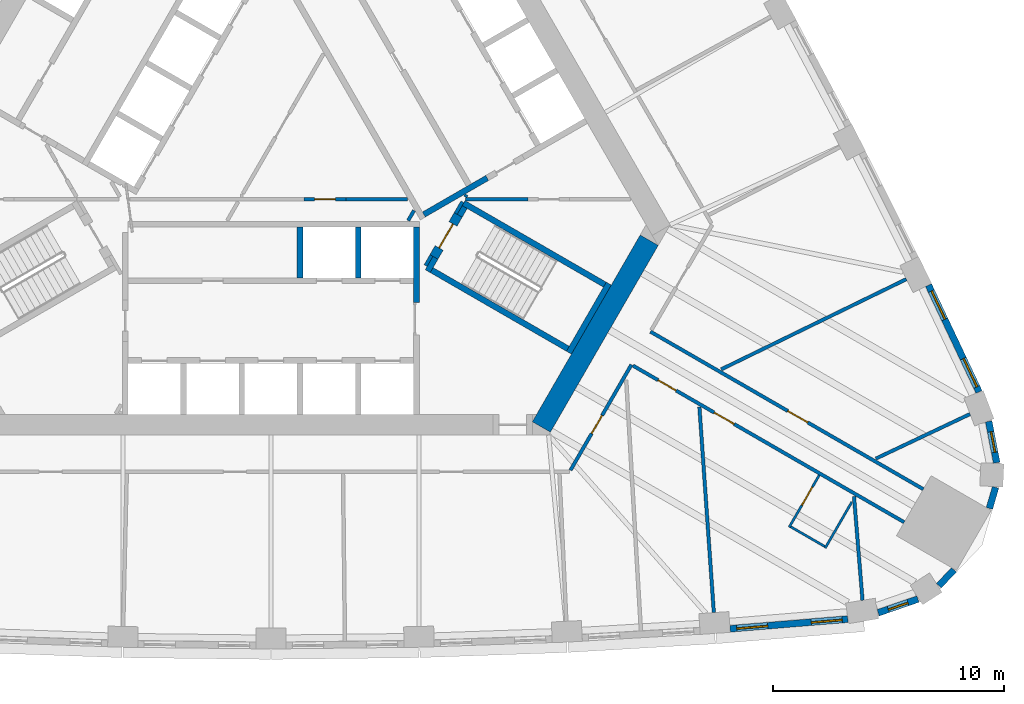
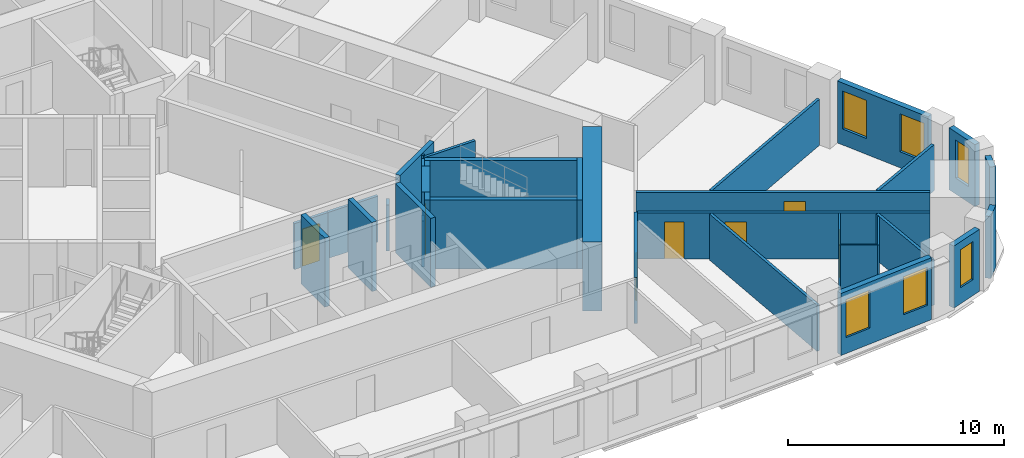
# One storey, part 7 of 12: 34 walls, 7 doors, 6 windows, 13 openings.
"""IFC4 building model written with IfcOpenShell, lengths in metres."""

from ifc_helpers import new_model, si_unit, direction, frame, frame_2d, origin, place, context, subcontext, project, spatial, rectangle, extrude, material, layer, layer_set, type_object, element, fill, save


model = new_model("IFC4")

# Units and contexts
model_context = context("Model", 3, precision=1e-05, world=origin(), true_north=direction((0.0, 1.0)))
body_context = subcontext(model_context, "Body", "Model", "MODEL_VIEW")
ifc_project = project(units=[si_unit("LENGTHUNIT", "METRE"), si_unit("AREAUNIT", "SQUARE_METRE"), si_unit("VOLUMEUNIT", "CUBIC_METRE"), si_unit("PLANEANGLEUNIT", "RADIAN"), si_unit("MASSUNIT", "GRAM", prefix="KILO")], contexts=[model_context])

# Site, building, storey
site_placement = place(None, origin())
site = spatial("IfcSite", under=ifc_project, at=site_placement, CompositionType="ELEMENT")
building_placement = place(site_placement, origin())
building = spatial("IfcBuilding", under=site, at=building_placement, Name="Mestral Congress Tower", CompositionType="ELEMENT")
storey_placement = place(building_placement, frame((0.0, 0.0, 130.5)))
storey = spatial("IfcBuildingStorey", under=building, at=storey_placement, Name="L31", CompositionType="ELEMENT", Elevation=130.5)

# Walls
ifc_material_1 = material(Name="Fire-rated board partition")
ifc_layer_1 = layer(ifc_material_1, 0.14990234375)
ifc_layer_set_1 = layer_set([ifc_layer_1], Name="Fire-rated board partition")
wall_type_1 = type_object("IfcWallType", Name="Core partition 150", PredefinedType="PARTITIONING", material=ifc_layer_set_1)
wall_1_placement = place(storey_placement, frame((6.68798828125, -5.667236328125, 0.0), z_axis=(0.0, 0.0, 1.0), x_axis=(0.499834152157, 0.86612113491, 0.0)))
element("IfcWall", 1, at=wall_1_placement, inside=storey, type_object=wall_type_1, Name="L31 core wall", PredefinedType="PARTITIONING", context=body_context, shape_type="SweptSolid", body=[
    extrude(rectangle(XDim=0.504638671875, YDim=0.14990234375, at=frame_2d((0.25244140625, 0.0))), origin(), (0.0, 0.0, 1.0), 2.60009765625),
])
wall_2_placement = place(storey_placement, frame((5.935791015625, -3.718017578125, 0.0), z_axis=(0.0, 0.0, 1.0), x_axis=(0.499890179513, 0.866088799389, 0.0)))
element("IfcWall", 2, at=wall_2_placement, inside=storey, type_object=wall_type_1, Name="L31 core wall", PredefinedType="PARTITIONING", context=body_context, shape_type="SweptSolid", body=[
    extrude(rectangle(XDim=0.50390625, YDim=0.14990234375, at=frame_2d((0.251953125, 0.0))), origin(), (0.0, 0.0, 1.0), 2.60009765625),
])
wall_3_placement = place(storey_placement, frame((3.23828125, -2.800048828125, 0.0), z_axis=(0.0, 0.0, 1.0), x_axis=(1.0, 0.0, 0.0)))
element("IfcWall", 3, at=wall_3_placement, inside=storey, type_object=wall_type_1, Name="L31 core wall", PredefinedType="PARTITIONING", context=body_context, shape_type="SweptSolid", body=[
    extrude(rectangle(XDim=2.671630859375, YDim=0.14990234375, at=frame_2d((1.3359375, 0.0))), origin(), (0.0, 0.0, 1.0), 2.60009765625),
])

# Wall, opening, door
wall_4_placement = place(storey_placement, frame((1.438232421875, -2.800048828125, 0.0), z_axis=(0.0, 0.0, 1.0), x_axis=(1.0, 0.0, 0.0)))
wall_4 = element("IfcWall", 4, at=wall_4_placement, inside=storey, type_object=wall_type_1, Name="L31 door wall", PredefinedType="PARTITIONING", context=body_context, shape_type="SweptSolid", body=[
    extrude(rectangle(XDim=1.800048828125, YDim=0.14990234375, at=frame_2d((0.89990234375, 0.0))), origin(), (0.0, 0.0, 1.0), 2.60009765625),
])
opening_1_placement = place(wall_4_placement, frame((0.449951171875, 0.0, 0.0)))
opening_1 = element("IfcOpeningElement", 5, at=opening_1_placement, cuts=wall_4, Name="Opening SD-HUB3", PredefinedType="OPENING", context=body_context, shape_type="SweptSolid", body=[
    extrude(rectangle(XDim=0.89990234375, YDim=2.10009765625, at=frame_2d((0.449951171875, 1.050048828125))), frame((0.0, 0.0849609375, 0.0), z_axis=(0.0, -1.0, 0.0), x_axis=(1.0, 0.0, 0.0)), (0.0, 0.0, 1.0), 0.169921875),
])
ifc_material_2 = material(Name="Fire-rated steel door set", Category="steel")
door_type_1 = type_object("IfcDoorType", Name="Core door SR 900x2100", OperationType="SINGLE_SWING_LEFT", PredefinedType="DOOR", material=ifc_material_2)
door_1_placement = place(opening_1_placement, origin())
door_1 = element("IfcDoor", 6, at=door_1_placement, inside=storey, type_object=door_type_1, Name="Door SD-HUB3", OperationType="SINGLE_SWING_LEFT", OverallHeight=2.10009765625, OverallWidth=0.89990234375, PredefinedType="DOOR", context=body_context, shape_type="SweptSolid", body=[
    extrude(rectangle(XDim=0.89990234375, YDim=2.10009765625, at=frame_2d((0.449951171875, 1.050048828125))), frame((0.0, 0.02490234375, 0.0), z_axis=(0.0, -1.0, 0.0), x_axis=(1.0, 0.0, 0.0)), (0.0, 0.0, 1.0), 0.050048828125),
])
fill(opening_1, door_1)

# Wall
ifc_material_3 = material(Name="Concrete C60/75", Category="concrete")
ifc_layer_2 = layer(ifc_material_3, 0.89990234375)
ifc_layer_set_2 = layer_set([ifc_layer_2], Name="Concrete C60/75")
wall_type_2 = type_object("IfcWallType", Name="Core wall RC 900", PredefinedType="SOLIDWALL", material=ifc_layer_set_2)
wall_5_placement = place(storey_placement, frame((11.69482421875, -12.643798828125, 0.0), z_axis=(0.0, 0.0, 1.0), x_axis=(0.500010229568, 0.86601949766, 0.0)))
element("IfcWall", 7, at=wall_5_placement, inside=storey, type_object=wall_type_2, Name="L31 core wall", PredefinedType="SOLIDWALL", context=body_context, shape_type="SweptSolid", body=[
    extrude(rectangle(XDim=9.326416015625, YDim=0.89990234375, at=frame_2d((4.6630859375, 0.0))), origin(), (0.0, 0.0, 1.0), 3.89990234375),
])

# Wall, openings, windows
ifc_material_4 = material(Name="Precast concrete C40/50 with limestone facing", Category="masonry")
ifc_layer_3 = layer(ifc_material_4, 0.2900390625)
ifc_layer_set_3 = layer_set([ifc_layer_3], Name="Precast concrete C40/50 with limestone facing")
wall_type_3 = type_object("IfcWallType", Name="Facade stone wall 290", PredefinedType="SOLIDWALL", material=ifc_layer_set_3)
wall_6_placement = place(storey_placement, frame((19.856689453125, -21.37109375, 0.0), z_axis=(0.0, 0.0, 1.0), x_axis=(0.99665273362, 0.081751627308, 0.0)))
wall_6 = element("IfcWall", 8, at=wall_6_placement, inside=storey, type_object=wall_type_3, Name="Facade wall F0-07", PredefinedType="SOLIDWALL", context=body_context, shape_type="SweptSolid", body=[
    extrude(rectangle(XDim=5.106689453125, YDim=0.2900390625, at=frame_2d((2.55322265625, 0.0))), origin(), (0.0, 0.0, 1.0), 3.5),
])
opening_2_placement = place(wall_6_placement, frame((0.285400390625, 0.0, 0.89990234375)))
opening_2 = element("IfcOpeningElement", 9, at=opening_2_placement, cuts=wall_6, Name="Opening W2", PredefinedType="OPENING", context=body_context, shape_type="SweptSolid", body=[
    extrude(rectangle(XDim=1.35009765625, YDim=2.14990234375, at=frame_2d((0.675048828125, 1.074951171875))), frame((0.0, 0.155029296875, 0.0), z_axis=(0.0, -1.0, 0.0), x_axis=(1.0, 0.0, 0.0)), (0.0, 0.0, 1.0), 0.31005859375),
])
opening_3_placement = place(wall_6_placement, frame((3.51611328125, 0.0, 0.89990234375)))
opening_3 = element("IfcOpeningElement", 10, at=opening_3_placement, cuts=wall_6, Name="Opening W2", PredefinedType="OPENING", context=body_context, shape_type="SweptSolid", body=[
    extrude(rectangle(XDim=1.35009765625, YDim=2.14990234375, at=frame_2d((0.675048828125, 1.074951171875))), frame((0.0, 0.155029296875, 0.0), z_axis=(0.0, -1.0, 0.0), x_axis=(1.0, 0.0, 0.0)), (0.0, 0.0, 1.0), 0.31005859375),
])
ifc_material_5 = material(Name="Clear low-emissivity double glazing", Category="glass")
window_type_1 = type_object("IfcWindowType", Name="Facade punched window 1350 x 2150 sill 900", PartitioningType="DOUBLE_PANEL_VERTICAL", PredefinedType="WINDOW", material=ifc_material_5)
window_1_placement = place(opening_2_placement, origin())
window_1 = element("IfcWindow", 11, at=window_1_placement, inside=storey, type_object=window_type_1, Name="Window F0-07a", OverallHeight=2.14990234375, OverallWidth=1.35009765625, PartitioningType="DOUBLE_PANEL_VERTICAL", PredefinedType="WINDOW", context=body_context, shape_type="SweptSolid", body=[
    extrude(rectangle(XDim=1.35009765625, YDim=2.14990234375, at=frame_2d((0.675048828125, 1.074951171875))), frame((0.0, 0.01513671875, 0.0), z_axis=(0.0, -1.0, 0.0), x_axis=(1.0, 0.0, 0.0)), (0.0, 0.0, 1.0), 0.06005859375),
])
fill(opening_2, window_1)
window_2_placement = place(opening_3_placement, origin())
window_2 = element("IfcWindow", 12, at=window_2_placement, inside=storey, type_object=window_type_1, Name="Window F0-07b", OverallHeight=2.14990234375, OverallWidth=1.35009765625, PartitioningType="DOUBLE_PANEL_VERTICAL", PredefinedType="WINDOW", context=body_context, shape_type="SweptSolid", body=[
    extrude(rectangle(XDim=1.35009765625, YDim=2.14990234375, at=frame_2d((0.675048828125, 1.074951171875))), frame((0.0, 0.01513671875, 0.0), z_axis=(0.0, -1.0, 0.0), x_axis=(1.0, 0.0, 0.0)), (0.0, 0.0, 1.0), 0.06005859375),
])
fill(opening_3, window_2)

# Wall, opening, window
wall_7_placement = place(storey_placement, frame((26.260986328125, -20.67919921875, 0.0), z_axis=(0.0, 0.0, 1.0), x_axis=(0.945385815453, 0.325953462844, 0.0)))
wall_7 = element("IfcWall", 13, at=wall_7_placement, inside=storey, type_object=wall_type_3, Name="Facade wall K0-0", PredefinedType="SOLIDWALL", context=body_context, shape_type="SweptSolid", body=[
    extrude(rectangle(XDim=1.8193359375, YDim=0.2900390625, at=frame_2d((0.90966796875, 0.0))), origin(), (0.0, 0.0, 1.0), 3.5),
])
opening_4_placement = place(wall_7_placement, frame((0.459716796875, 0.0, 0.89990234375)))
opening_4 = element("IfcOpeningElement", 14, at=opening_4_placement, cuts=wall_7, Name="Opening W3", PredefinedType="OPENING", context=body_context, shape_type="SweptSolid", body=[
    extrude(rectangle(XDim=0.89990234375, YDim=2.14990234375, at=frame_2d((0.449951171875, 1.074951171875))), frame((0.0, 0.155029296875, 0.0), z_axis=(0.0, -1.0, 0.0), x_axis=(1.0, 0.0, 0.0)), (0.0, 0.0, 1.0), 0.31005859375),
])
window_type_2 = type_object("IfcWindowType", Name="Facade punched window 900 x 2150 sill 900", PartitioningType="SINGLE_PANEL", PredefinedType="WINDOW", material=ifc_material_5)
window_3_placement = place(opening_4_placement, origin())
window_3 = element("IfcWindow", 15, at=window_3_placement, inside=storey, type_object=window_type_2, Name="Window K0-0", OverallHeight=2.14990234375, OverallWidth=0.89990234375, PartitioningType="SINGLE_PANEL", PredefinedType="WINDOW", context=body_context, shape_type="SweptSolid", body=[
    extrude(rectangle(XDim=0.89990234375, YDim=2.14990234375, at=frame_2d((0.449951171875, 1.074951171875))), frame((0.0, 0.01513671875, 0.0), z_axis=(0.0, -1.0, 0.0), x_axis=(1.0, 0.0, 0.0)), (0.0, 0.0, 1.0), 0.06005859375),
])
fill(opening_4, window_3)

# Walls
wall_8_placement = place(storey_placement, frame((28.88037109375, -19.50927734375, 0.0), z_axis=(0.0, 0.0, 1.0), x_axis=(0.690414427296, 0.723414071319, 0.0)))
element("IfcWall", 16, at=wall_8_placement, inside=storey, type_object=wall_type_3, Name="Facade wall K0-1", PredefinedType="SOLIDWALL", context=body_context, shape_type="SweptSolid", body=[
    extrude(rectangle(XDim=0.947021484375, YDim=0.2900390625, at=frame_2d((0.4736328125, 0.0))), origin(), (0.0, 0.0, 1.0), 3.5),
])
wall_9_placement = place(storey_placement, frame((31.069091796875, -16.165283203125, 0.0), z_axis=(0.0, 0.0, 1.0), x_axis=(0.281454582132, 0.95957455062, 0.0)))
element("IfcWall", 17, at=wall_9_placement, inside=storey, type_object=wall_type_3, Name="Facade wall K0-2", PredefinedType="SOLIDWALL", context=body_context, shape_type="SweptSolid", body=[
    extrude(rectangle(XDim=0.947265625, YDim=0.2900390625, at=frame_2d((0.4736328125, 0.0))), origin(), (0.0, 0.0, 1.0), 3.5),
])

# Wall, opening, window
wall_10_placement = place(storey_placement, frame((31.385498046875, -14.189208984375, 0.0), z_axis=(0.0, 0.0, 1.0), x_axis=(-0.190409913989, 0.981704672829, 0.0)))
wall_10 = element("IfcWall", 18, at=wall_10_placement, inside=storey, type_object=wall_type_3, Name="Facade wall K0-3", PredefinedType="SOLIDWALL", context=body_context, shape_type="SweptSolid", body=[
    extrude(rectangle(XDim=1.8193359375, YDim=0.2900390625, at=frame_2d((0.90966796875, 0.0))), origin(), (0.0, 0.0, 1.0), 3.5),
])
opening_5_placement = place(wall_10_placement, frame((0.459716796875, 0.0, 0.89990234375)))
opening_5 = element("IfcOpeningElement", 19, at=opening_5_placement, cuts=wall_10, Name="Opening W3", PredefinedType="OPENING", context=body_context, shape_type="SweptSolid", body=[
    extrude(rectangle(XDim=0.89990234375, YDim=2.14990234375, at=frame_2d((0.449951171875, 1.074951171875))), frame((0.0, 0.155029296875, 0.0), z_axis=(0.0, -1.0, 0.0), x_axis=(1.0, 0.0, 0.0)), (0.0, 0.0, 1.0), 0.31005859375),
])
window_4_placement = place(opening_5_placement, origin())
window_4 = element("IfcWindow", 20, at=window_4_placement, inside=storey, type_object=window_type_2, Name="Window K0-3", OverallHeight=2.14990234375, OverallWidth=0.89990234375, PartitioningType="SINGLE_PANEL", PredefinedType="WINDOW", context=body_context, shape_type="SweptSolid", body=[
    extrude(rectangle(XDim=0.89990234375, YDim=2.14990234375, at=frame_2d((0.449951171875, 1.074951171875))), frame((0.0, 0.01513671875, 0.0), z_axis=(0.0, -1.0, 0.0), x_axis=(1.0, 0.0, 0.0)), (0.0, 0.0, 1.0), 0.06005859375),
])
fill(opening_5, window_4)

# Wall, openings, windows
wall_11_placement = place(storey_placement, frame((30.61962890625, -11.127197265625, 0.0), z_axis=(0.0, 0.0, 1.0), x_axis=(-0.427543726596, 0.903994669148, 0.0)))
wall_11 = element("IfcWall", 21, at=wall_11_placement, inside=storey, type_object=wall_type_3, Name="Facade wall F1-00", PredefinedType="SOLIDWALL", context=body_context, shape_type="SweptSolid", body=[
    extrude(rectangle(XDim=5.106689453125, YDim=0.2900390625, at=frame_2d((2.55322265625, 0.0))), origin(), (0.0, 0.0, 1.0), 3.5),
])
opening_6_placement = place(wall_11_placement, frame((0.240478515625, 0.0, 0.89990234375)))
opening_6 = element("IfcOpeningElement", 22, at=opening_6_placement, cuts=wall_11, Name="Opening W2", PredefinedType="OPENING", context=body_context, shape_type="SweptSolid", body=[
    extrude(rectangle(XDim=1.35009765625, YDim=2.14990234375, at=frame_2d((0.675048828125, 1.074951171875))), frame((0.0, 0.155029296875, 0.0), z_axis=(0.0, -1.0, 0.0), x_axis=(1.0, 0.0, 0.0)), (0.0, 0.0, 1.0), 0.31005859375),
])
opening_7_placement = place(wall_11_placement, frame((3.47119140625, 0.0, 0.89990234375)))
opening_7 = element("IfcOpeningElement", 23, at=opening_7_placement, cuts=wall_11, Name="Opening W2", PredefinedType="OPENING", context=body_context, shape_type="SweptSolid", body=[
    extrude(rectangle(XDim=1.35009765625, YDim=2.14990234375, at=frame_2d((0.675048828125, 1.074951171875))), frame((0.0, 0.155029296875, 0.0), z_axis=(0.0, -1.0, 0.0), x_axis=(1.0, 0.0, 0.0)), (0.0, 0.0, 1.0), 0.31005859375),
])
window_5_placement = place(opening_6_placement, origin())
window_5 = element("IfcWindow", 24, at=window_5_placement, inside=storey, type_object=window_type_1, Name="Window F1-00a", OverallHeight=2.14990234375, OverallWidth=1.35009765625, PartitioningType="DOUBLE_PANEL_VERTICAL", PredefinedType="WINDOW", context=body_context, shape_type="SweptSolid", body=[
    extrude(rectangle(XDim=1.35009765625, YDim=2.14990234375, at=frame_2d((0.675048828125, 1.074951171875))), frame((0.0, 0.01513671875, 0.0), z_axis=(0.0, -1.0, 0.0), x_axis=(1.0, 0.0, 0.0)), (0.0, 0.0, 1.0), 0.06005859375),
])
fill(opening_6, window_5)
window_6_placement = place(opening_7_placement, origin())
window_6 = element("IfcWindow", 25, at=window_6_placement, inside=storey, type_object=window_type_1, Name="Window F1-00b", OverallHeight=2.14990234375, OverallWidth=1.35009765625, PartitioningType="DOUBLE_PANEL_VERTICAL", PredefinedType="WINDOW", context=body_context, shape_type="SweptSolid", body=[
    extrude(rectangle(XDim=1.35009765625, YDim=2.14990234375, at=frame_2d((0.675048828125, 1.074951171875))), frame((0.0, 0.01513671875, 0.0), z_axis=(0.0, -1.0, 0.0), x_axis=(1.0, 0.0, 0.0)), (0.0, 0.0, 1.0), 0.06005859375),
])
fill(opening_7, window_6)

# Wall, opening, door
ifc_material_6 = material(Name="Gypsum board partition on metal studs with mineral wool", Category="composite")
ifc_layer_4 = layer(ifc_material_6, 0.10009765625)
ifc_layer_set_4 = layer_set([ifc_layer_4], Name="Gypsum board partition on metal studs with mineral wool")
wall_type_4 = type_object("IfcWallType", Name="Hotel partition wall 100", PredefinedType="PARTITIONING", material=ifc_layer_set_4)
wall_12_placement = place(storey_placement, frame((23.710205078125, -14.728271484375, 0.0), z_axis=(0.0, 0.0, 1.0), x_axis=(-0.500006934395, -0.866021400173, 0.0)))
wall_12 = element("IfcWall", 26, at=wall_12_placement, inside=storey, type_object=wall_type_4, Name="L31-h-pod07a", PredefinedType="PARTITIONING", context=body_context, shape_type="SweptSolid", body=[
    extrude(rectangle(XDim=2.60009765625, YDim=0.10009765625, at=frame_2d((1.300048828125, 0.0))), origin(), (0.0, 0.0, 1.0), 2.60009765625),
])
opening_8_placement = place(wall_12_placement, frame((0.60009765625, 0.0, 0.0)))
opening_8 = element("IfcOpeningElement", 27, at=opening_8_placement, cuts=wall_12, Name="Opening H10-008", PredefinedType="OPENING", context=body_context, shape_type="SweptSolid", body=[
    extrude(rectangle(XDim=0.89990234375, YDim=2.10009765625, at=frame_2d((0.449951171875, 1.050048828125))), frame((0.0, 0.06005859375, 0.0), z_axis=(0.0, -1.0, 0.0), x_axis=(1.0, 0.0, 0.0)), (0.0, 0.0, 1.0), 0.1201171875),
])
ifc_material_7 = material(Name="Timber veneer door leaf in timber frame", Category="wood")
door_type_2 = type_object("IfcDoorType", Name="Bathroom door 900", OperationType="SINGLE_SWING_LEFT", PredefinedType="DOOR", material=ifc_material_7)
door_2_placement = place(opening_8_placement, origin())
door_2 = element("IfcDoor", 28, at=door_2_placement, inside=storey, type_object=door_type_2, Name="L31-h-d008", OperationType="SINGLE_SWING_LEFT", OverallHeight=2.10009765625, OverallWidth=0.89990234375, PredefinedType="DOOR", context=body_context, shape_type="SweptSolid", body=[
    extrude(rectangle(XDim=0.89990234375, YDim=2.10009765625, at=frame_2d((0.449951171875, 1.050048828125))), frame((0.0, 0.02490234375, 0.0), z_axis=(0.0, -1.0, 0.0), x_axis=(1.0, 0.0, 0.0)), (0.0, 0.0, 1.0), 0.050048828125),
])
fill(opening_8, door_2)

# Walls
wall_13_placement = place(storey_placement, frame((22.478515625, -16.961669921875, 0.0), z_axis=(0.0, 0.0, 1.0), x_axis=(0.86605165483, -0.499954529098, 0.0)))
element("IfcWall", 29, at=wall_13_placement, inside=storey, type_object=wall_type_4, Name="L31-h-pod07b", PredefinedType="PARTITIONING", context=body_context, shape_type="SweptSolid", body=[
    extrude(rectangle(XDim=1.699951171875, YDim=0.10009765625, at=frame_2d((0.85009765625, 0.0))), origin(), (0.0, 0.0, 1.0), 2.60009765625),
])
wall_14_placement = place(storey_placement, frame((25.118896484375, -15.88818359375, 0.0), z_axis=(0.0, 0.0, 1.0), x_axis=(-0.499998129301, -0.86602648383, 0.0)))
element("IfcWall", 30, at=wall_14_placement, inside=storey, type_object=wall_type_4, Name="L31-h-pod07c", PredefinedType="PARTITIONING", context=body_context, shape_type="SweptSolid", body=[
    extrude(rectangle(XDim=2.2998046875, YDim=0.10009765625, at=frame_2d((1.14990234375, 0.0))), origin(), (0.0, 0.0, 1.0), 2.60009765625),
])

# Wall, opening, door
ifc_layer_5 = layer(ifc_material_6, 0.14990234375)
ifc_layer_set_5 = layer_set([ifc_layer_5], Name="Gypsum board partition on metal studs with mineral wool")
wall_type_5 = type_object("IfcWallType", Name="Hotel partition wall 150", PredefinedType="PARTITIONING", material=ifc_layer_set_5)
wall_15_placement = place(storey_placement, frame((16.412353515625, -8.52294921875, 0.0), z_axis=(0.0, 0.0, 1.0), x_axis=(0.866025629663, -0.499999608766, 0.0)))
wall_15 = element("IfcWall", 31, at=wall_15_placement, inside=storey, type_object=wall_type_5, Name="L31-h-cw01", PredefinedType="PARTITIONING", context=body_context, shape_type="SweptSolid", body=[
    extrude(rectangle(XDim=13.62353515625, YDim=0.14990234375, at=frame_2d((6.811767578125, 0.0))), origin(), (0.0, 0.0, 1.0), 2.60009765625),
])
opening_9_placement = place(wall_15_placement, frame((6.853515625, 0.0, 0.0)))
opening_9 = element("IfcOpeningElement", 32, at=opening_9_placement, cuts=wall_15, Name="Opening H10-009", PredefinedType="OPENING", context=body_context, shape_type="SweptSolid", body=[
    extrude(rectangle(XDim=1.0, YDim=2.10009765625, at=frame_2d((0.5, 1.050048828125))), frame((0.0, 0.0849609375, 0.0), z_axis=(0.0, -1.0, 0.0), x_axis=(1.0, 0.0, 0.0)), (0.0, 0.0, 1.0), 0.169921875),
])
ifc_material_8 = material(Name="Timber veneer door leaf in metal frame", Category="wood")
door_type_3 = type_object("IfcDoorType", Name="Guest room entrance door 1000", OperationType="SINGLE_SWING_LEFT", PredefinedType="DOOR", material=ifc_material_8)
door_3_placement = place(opening_9_placement, origin())
door_3 = element("IfcDoor", 33, at=door_3_placement, inside=storey, type_object=door_type_3, Name="L31-h-d009", OperationType="SINGLE_SWING_RIGHT", OverallHeight=2.10009765625, OverallWidth=1.0, PredefinedType="DOOR", context=body_context, shape_type="SweptSolid", body=[
    extrude(rectangle(XDim=1.0, YDim=2.10009765625, at=frame_2d((0.5, 1.050048828125))), frame((0.0, 0.02490234375, 0.0), z_axis=(0.0, -1.0, 0.0), x_axis=(1.0, 0.0, 0.0)), (0.0, 0.0, 1.0), 0.050048828125),
])
fill(opening_9, door_3)

wall_16_placement = place(storey_placement, frame((15.58740234375, -9.951904296875, 0.0), z_axis=(0.0, 0.0, 1.0), x_axis=(-0.500016618951, -0.866015808616, 0.0)))
wall_16 = element("IfcWall", 34, at=wall_16_placement, inside=storey, type_object=wall_type_5, Name="L31-h-cw14", PredefinedType="PARTITIONING", context=body_context, shape_type="SweptSolid", body=[
    extrude(rectangle(XDim=5.268310546875, YDim=0.14990234375, at=frame_2d((2.63427734375, 0.0))), origin(), (0.0, 0.0, 1.0), 2.60009765625),
])
opening_10_placement = place(wall_16_placement, frame((2.53759765625, 0.0, 0.0)))
opening_10 = element("IfcOpeningElement", 35, at=opening_10_placement, cuts=wall_16, Name="Opening H10-005", PredefinedType="OPENING", context=body_context, shape_type="SweptSolid", body=[
    extrude(rectangle(XDim=0.89990234375, YDim=2.10009765625, at=frame_2d((0.449951171875, 1.050048828125))), frame((0.0, 0.0849609375, 0.0), z_axis=(0.0, -1.0, 0.0), x_axis=(1.0, 0.0, 0.0)), (0.0, 0.0, 1.0), 0.169921875),
])
door_type_4 = type_object("IfcDoorType", Name="Service room door 900", OperationType="SINGLE_SWING_LEFT", PredefinedType="DOOR", material=ifc_material_8)
door_4_placement = place(opening_10_placement, origin())
door_4 = element("IfcDoor", 36, at=door_4_placement, inside=storey, type_object=door_type_4, Name="L31-h-d005", OperationType="SINGLE_SWING_LEFT", OverallHeight=2.10009765625, OverallWidth=0.89990234375, PredefinedType="DOOR", context=body_context, shape_type="SweptSolid", body=[
    extrude(rectangle(XDim=0.89990234375, YDim=2.10009765625, at=frame_2d((0.449951171875, 1.050048828125))), frame((0.0, 0.02490234375, 0.0), z_axis=(0.0, -1.0, 0.0), x_axis=(1.0, 0.0, 0.0)), (0.0, 0.0, 1.0), 0.050048828125),
])
fill(opening_10, door_4)

# Wall, openings, doors
wall_17_placement = place(storey_placement, frame((27.3857421875, -16.763916015625, 0.0), z_axis=(0.0, 0.0, 1.0), x_axis=(-0.866022585856, 0.500004880763, 0.0)))
wall_17 = element("IfcWall", 37, at=wall_17_placement, inside=storey, type_object=wall_type_5, Name="L31-h-cw15", PredefinedType="PARTITIONING", context=body_context, shape_type="SweptSolid", body=[
    extrude(rectangle(XDim=13.543701171875, YDim=0.14990234375, at=frame_2d((6.77197265625, 0.0))), origin(), (0.0, 0.0, 1.0), 2.60009765625),
])
opening_11_placement = place(wall_17_placement, frame((11.391845703125, 0.0, 0.0)))
opening_11 = element("IfcOpeningElement", 38, at=opening_11_placement, cuts=wall_17, Name="Opening H10-006", PredefinedType="OPENING", context=body_context, shape_type="SweptSolid", body=[
    extrude(rectangle(XDim=0.89990234375, YDim=2.10009765625, at=frame_2d((0.449951171875, 1.050048828125))), frame((0.0, 0.0849609375, 0.0), z_axis=(0.0, -1.0, 0.0), x_axis=(1.0, 0.0, 0.0)), (0.0, 0.0, 1.0), 0.169921875),
])
opening_12_placement = place(wall_17_placement, frame((8.490966796875, 0.0, 0.0)))
opening_12 = element("IfcOpeningElement", 39, at=opening_12_placement, cuts=wall_17, Name="Opening H10-007", PredefinedType="OPENING", context=body_context, shape_type="SweptSolid", body=[
    extrude(rectangle(XDim=1.0, YDim=2.10009765625, at=frame_2d((0.5, 1.050048828125))), frame((0.0, 0.0849609375, 0.0), z_axis=(0.0, -1.0, 0.0), x_axis=(1.0, 0.0, 0.0)), (0.0, 0.0, 1.0), 0.169921875),
])
door_5_placement = place(opening_12_placement, origin())
door_5 = element("IfcDoor", 40, at=door_5_placement, inside=storey, type_object=door_type_3, Name="L31-h-d007", OperationType="SINGLE_SWING_RIGHT", OverallHeight=2.10009765625, OverallWidth=1.0, PredefinedType="DOOR", context=body_context, shape_type="SweptSolid", body=[
    extrude(rectangle(XDim=1.0, YDim=2.10009765625, at=frame_2d((0.5, 1.050048828125))), frame((0.0, 0.02490234375, 0.0), z_axis=(0.0, -1.0, 0.0), x_axis=(1.0, 0.0, 0.0)), (0.0, 0.0, 1.0), 0.050048828125),
])
fill(opening_12, door_5)
door_6_placement = place(opening_11_placement, origin())
door_6 = element("IfcDoor", 41, at=door_6_placement, inside=storey, type_object=door_type_4, Name="L31-h-d006", OperationType="SINGLE_SWING_RIGHT", OverallHeight=2.10009765625, OverallWidth=0.89990234375, PredefinedType="DOOR", context=body_context, shape_type="SweptSolid", body=[
    extrude(rectangle(XDim=0.89990234375, YDim=2.10009765625, at=frame_2d((0.449951171875, 1.050048828125))), frame((0.0, 0.02490234375, 0.0), z_axis=(0.0, -1.0, 0.0), x_axis=(1.0, 0.0, 0.0)), (0.0, 0.0, 1.0), 0.050048828125),
])
fill(opening_11, door_6)

# Walls
wall_18_placement = place(storey_placement, frame((19.152587890625, -20.67138671875, 0.0), z_axis=(0.0, 0.0, 1.0), x_axis=(-0.070070736723, 0.997542025107, 0.0)))
element("IfcWall", 42, at=wall_18_placement, inside=storey, type_object=wall_type_5, Name="L31-h-pw21", PredefinedType="PARTITIONING", context=body_context, shape_type="SweptSolid", body=[
    extrude(rectangle(XDim=8.9091796875, YDim=0.14990234375, at=frame_2d((4.45458984375, 0.0))), origin(), (0.0, 0.0, 1.0), 2.60009765625),
])
wall_19_placement = place(storey_placement, frame((27.478515625, -6.2509765625, 0.0), z_axis=(0.0, 0.0, 1.0), x_axis=(-0.898945877276, -0.438059710231, 0.0)))
element("IfcWall", 43, at=wall_19_placement, inside=storey, type_object=wall_type_5, Name="L31-h-pw23", PredefinedType="PARTITIONING", context=body_context, shape_type="SweptSolid", body=[
    extrude(rectangle(XDim=8.909423828125, YDim=0.14990234375, at=frame_2d((4.45458984375, 0.0))), origin(), (0.0, 0.0, 1.0), 2.60009765625),
])
wall_20_placement = place(storey_placement, frame((25.581787109375, -20.13818359375, 0.0), z_axis=(0.0, 0.0, 1.0), x_axis=(-0.081746132986, 0.996653184283, 0.0)))
element("IfcWall", 44, at=wall_20_placement, inside=storey, type_object=wall_type_5, Name="L31-h-pw24", PredefinedType="PARTITIONING", context=body_context, shape_type="SweptSolid", body=[
    extrude(rectangle(XDim=4.509765625, YDim=0.14990234375, at=frame_2d((2.2548828125, 0.0))), origin(), (0.0, 0.0, 1.0), 2.60009765625),
])
wall_21_placement = place(storey_placement, frame((30.23095703125, -12.08544921875, 0.0), z_axis=(0.0, 0.0, 1.0), x_axis=(-0.904001132572, -0.427530060122, 0.0)))
element("IfcWall", 45, at=wall_21_placement, inside=storey, type_object=wall_type_5, Name="L31-h-pw25", PredefinedType="PARTITIONING", context=body_context, shape_type="SweptSolid", body=[
    extrude(rectangle(XDim=4.509521484375, YDim=0.14990234375, at=frame_2d((2.2548828125, 0.0))), origin(), (0.0, 0.0, 1.0), 2.60009765625),
])
ifc_layer_6 = layer(ifc_material_3, 0.25)
ifc_layer_set_6 = layer_set([ifc_layer_6], Name="Concrete C60/75")
wall_type_6 = type_object("IfcWallType", Name="Shaft wall RC 250", PredefinedType="SOLIDWALL", material=ifc_layer_set_6)
wall_22_placement = place(storey_placement, frame((6.300048828125, -7.26806640625, 0.0), z_axis=(0.0, 0.0, 1.0), x_axis=(0.0, 1.0, 0.0)))
element("IfcWall", 46, at=wall_22_placement, inside=storey, type_object=wall_type_6, Name="L31 core wall", PredefinedType="SOLIDWALL", context=body_context, shape_type="SweptSolid", body=[
    extrude(rectangle(XDim=3.26806640625, YDim=0.25, at=frame_2d((1.634033203125, 0.0))), origin(), (0.0, 0.0, 1.0), 3.89990234375),
])
for number, where, z_axis, x_axis, name in (
    (47, (3.780029296875, -4.0, 0.0), (0.0, 0.0, 1.0), (0.0, -1.0, 0.0), "L31 core wall"),
    (48, (1.260009765625, -4.0, 0.0), (0.0, 0.0, 1.0), (0.0, -1.0, 0.0), "L31 core wall"),
):
    element("IfcWall", number, at=place(storey_placement, frame(where, z_axis=z_axis, x_axis=x_axis)), inside=storey, type_object=wall_type_6, Name=name, PredefinedType="SOLIDWALL", context=body_context, shape_type="SweptSolid", body=[
        extrude(rectangle(XDim=2.199951171875, YDim=0.25, at=frame_2d((1.10009765625, 0.0))), origin(), (0.0, 0.0, 1.0), 3.89990234375),
    ])
wall_23_placement = place(storey_placement, frame((9.35205078125, -1.875244140625, 0.0), z_axis=(0.0, 0.0, 1.0), x_axis=(-0.866024844342, -0.500000968981, 0.0)))
element("IfcWall", 49, at=wall_23_placement, inside=storey, type_object=wall_type_6, Name="L31 core wall", PredefinedType="SOLIDWALL", context=body_context, shape_type="SweptSolid", body=[
    extrude(rectangle(XDim=3.16162109375, YDim=0.25, at=frame_2d((1.580810546875, 0.0))), origin(), (0.0, 0.0, 1.0), 3.89990234375),
])
ifc_layer_7 = layer(ifc_material_3, 0.14990234375)
ifc_layer_set_7 = layer_set([ifc_layer_7], Name="Concrete C60/75")
wall_type_7 = type_object("IfcWallType", Name="Shaft wall RC 250 door-wall 150", PredefinedType="SOLIDWALL", material=ifc_layer_set_7)
wall_24_placement = place(storey_placement, frame((8.412109375, -2.800048828125, 0.0), z_axis=(0.0, 0.0, 1.0), x_axis=(1.0, 0.0, 0.0)))
element("IfcWall", 50, at=wall_24_placement, inside=storey, type_object=wall_type_7, Name="L31 core wall", PredefinedType="PARTITIONING", context=body_context, shape_type="SweptSolid", body=[
    extrude(rectangle(XDim=2.702392578125, YDim=0.14990234375, at=frame_2d((1.35107421875, 0.0))), origin(), (0.0, 0.0, 1.0), 3.89990234375),
])
wall_25_placement = place(storey_placement, frame((8.458984375, -2.598876953125, 0.0), z_axis=(0.0, 0.0, 1.0), x_axis=(-0.501919277433, -0.864914469148, 0.0)))
element("IfcWall", 51, at=wall_25_placement, inside=storey, type_object=wall_type_7, Name="L31 core wall", PredefinedType="PARTITIONING", context=body_context, shape_type="SweptSolid", body=[
    extrude(rectangle(XDim=0.10888671875, YDim=0.14990234375, at=frame_2d((0.054443359375, 0.0))), origin(), (0.0, 0.0, 1.0), 3.89990234375),
])
wall_26_placement = place(storey_placement, frame((8.281494140625, -2.906982421875, 0.0), z_axis=(0.0, 0.0, 1.0), x_axis=(-0.500193841991, -0.86591346013, 0.0)))
element("IfcWall", 52, at=wall_26_placement, inside=storey, type_object=wall_type_7, Name="L31 core wall", PredefinedType="PARTITIONING", context=body_context, shape_type="SweptSolid", body=[
    extrude(rectangle(XDim=0.582763671875, YDim=0.14990234375, at=frame_2d((0.29150390625, 0.0))), origin(), (0.0, 0.0, 1.0), 3.89990234375),
])
ifc_layer_8 = layer(ifc_material_3, 0.25)
ifc_layer_set_8 = layer_set([ifc_layer_8], Name="Concrete C60/75")
wall_type_8 = type_object("IfcWallType", Name="Stair wall RC 250", PredefinedType="SOLIDWALL", material=ifc_layer_set_8)
wall_27_placement = place(storey_placement, frame((12.885498046875, -9.431396484375, 0.0), z_axis=(0.0, 0.0, 1.0), x_axis=(0.500020560727, 0.866013532718, 0.0)))
element("IfcWall", 53, at=wall_27_placement, inside=storey, type_object=wall_type_8, Name="L31 core wall", PredefinedType="SOLIDWALL", context=body_context, shape_type="SweptSolid", body=[
    extrude(rectangle(XDim=3.449951171875, YDim=0.25, at=frame_2d((1.72509765625, 0.0))), origin(), (0.0, 0.0, 1.0), 3.89990234375),
])
wall_28_placement = place(storey_placement, frame((12.83984375, -9.2607421875, 0.0), z_axis=(0.0, 0.0, 1.0), x_axis=(-0.866013990052, 0.500019768644, 0.0)))
element("IfcWall", 54, at=wall_28_placement, inside=storey, type_object=wall_type_8, Name="L31 core wall", PredefinedType="SOLIDWALL", context=body_context, shape_type="SweptSolid", body=[
    extrude(rectangle(XDim=6.800048828125, YDim=0.25, at=frame_2d((3.39990234375, 0.0))), origin(), (0.0, 0.0, 1.0), 3.89990234375),
])
wall_29_placement = place(storey_placement, frame((7.11279296875, -5.330078125, 0.0), z_axis=(0.0, 0.0, 1.0), x_axis=(-0.499965889992, -0.866045096311, 0.0)))
element("IfcWall", 55, at=wall_29_placement, inside=storey, type_object=wall_type_8, Name="L31 core wall", PredefinedType="SOLIDWALL", context=body_context, shape_type="SweptSolid", body=[
    extrude(rectangle(XDim=0.66552734375, YDim=0.25, at=frame_2d((0.332763671875, 0.0))), origin(), (0.0, 0.0, 1.0), 3.89990234375),
])
wall_30_placement = place(storey_placement, frame((8.33447265625, -2.96435546875, 0.0), z_axis=(0.0, 0.0, 1.0), x_axis=(0.866016039709, -0.500016218704, 0.0)))
element("IfcWall", 56, at=wall_30_placement, inside=storey, type_object=wall_type_8, Name="L31 core wall", PredefinedType="SOLIDWALL", context=body_context, shape_type="SweptSolid", body=[
    extrude(rectangle(XDim=7.050048828125, YDim=0.25, at=frame_2d((3.52490234375, 0.0))), origin(), (0.0, 0.0, 1.0), 3.89990234375),
])
wall_31_placement = place(storey_placement, frame((8.162841796875, -3.51123046875, 0.0), z_axis=(0.0, 0.0, 1.0), x_axis=(0.500127794843, 0.865951608824, 0.0)))
element("IfcWall", 57, at=wall_31_placement, inside=storey, type_object=wall_type_8, Name="L31 core wall", PredefinedType="SOLIDWALL", context=body_context, shape_type="SweptSolid", body=[
    extrude(rectangle(XDim=0.4345703125, YDim=0.25, at=frame_2d((0.21728515625, 0.0))), origin(), (0.0, 0.0, 1.0), 3.89990234375),
])

# Wall, opening, door
ifc_layer_9 = layer(ifc_material_3, 0.39990234375)
ifc_layer_set_9 = layer_set([ifc_layer_9], Name="Concrete C60/75")
wall_type_9 = type_object("IfcWallType", Name="Stair wall RC 250 door-wall 400", PredefinedType="SOLIDWALL", material=ifc_layer_set_9)
wall_32_placement = place(storey_placement, frame((7.048095703125, -5.29248046875, 0.0), z_axis=(0.0, 0.0, 1.0), x_axis=(0.49994051562, 0.866059744384, 0.0)))
wall_32 = element("IfcWall", 58, at=wall_32_placement, inside=storey, type_object=wall_type_9, Name="L31 door wall", PredefinedType="SOLIDWALL", context=body_context, shape_type="SweptSolid", body=[
    extrude(rectangle(XDim=2.099853515625, YDim=0.39990234375, at=frame_2d((1.0498046875, 0.0))), origin(), (0.0, 0.0, 1.0), 3.89990234375),
])
opening_13_placement = place(wall_32_placement, frame((0.449951171875, 0.0, 0.0)))
opening_13 = element("IfcOpeningElement", 59, at=opening_13_placement, cuts=wall_32, Name="Opening ST-D1", PredefinedType="OPENING", context=body_context, shape_type="SweptSolid", body=[
    extrude(rectangle(XDim=1.199951171875, YDim=2.10009765625, at=frame_2d((0.60009765625, 1.050048828125))), frame((0.0, 0.2099609375, 0.0), z_axis=(0.0, -1.0, 0.0), x_axis=(1.0, 0.0, 0.0)), (0.0, 0.0, 1.0), 0.419921875),
])
door_type_5 = type_object("IfcDoorType", Name="Core door ST 1200x2100", OperationType="SINGLE_SWING_LEFT", PredefinedType="DOOR", material=ifc_material_2)
door_7_placement = place(opening_13_placement, origin())
door_7 = element("IfcDoor", 60, at=door_7_placement, inside=storey, type_object=door_type_5, Name="Door ST-D1", OperationType="SINGLE_SWING_LEFT", OverallHeight=2.10009765625, OverallWidth=1.199951171875, PredefinedType="DOOR", context=body_context, shape_type="SweptSolid", body=[
    extrude(rectangle(XDim=1.199951171875, YDim=2.10009765625, at=frame_2d((0.60009765625, 1.050048828125))), frame((0.0, 0.02490234375, 0.0), z_axis=(0.0, -1.0, 0.0), x_axis=(1.0, 0.0, 0.0)), (0.0, 0.0, 1.0), 0.050048828125),
])
fill(opening_13, door_7)

save(model, "model.ifc")
